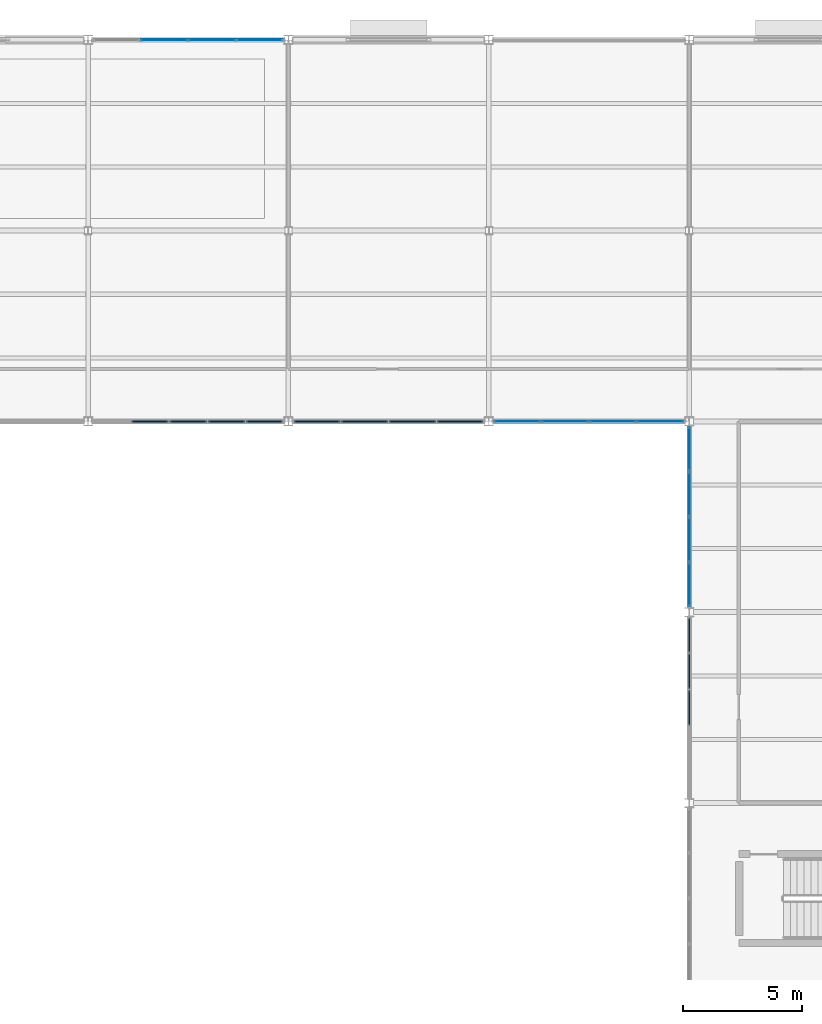
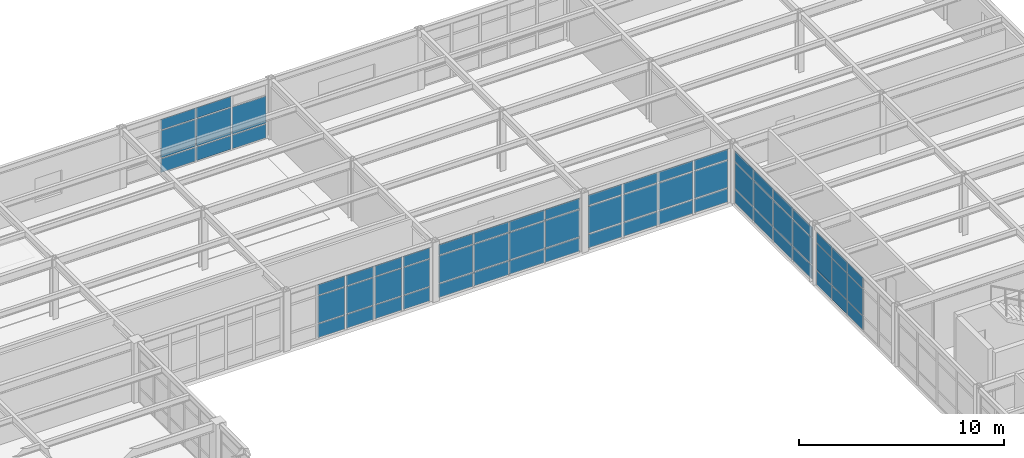
# One storey, part 43 of 96: 65 plates, 6 elements without a shape of their own.
"""IFC4 building model written with IfcOpenShell, lengths in metres."""

from ifc_helpers import new_model, si_unit, direction, frame, origin, origin_2d, place, context, subcontext, project, spatial, rectangle, extrude, material, layer, layer_set, type_object, element, aggregate, save


model = new_model("IFC4")

# Units and contexts
model_context = context("Model", 3, precision=1e-05, world=origin(), true_north=direction((0.0, 1.0)))
body_context = subcontext(model_context, "Body", "Model", "MODEL_VIEW")
ifc_project = project(units=[si_unit("LENGTHUNIT", "METRE"), si_unit("AREAUNIT", "SQUARE_METRE"), si_unit("VOLUMEUNIT", "CUBIC_METRE"), si_unit("PLANEANGLEUNIT", "RADIAN"), si_unit("MASSUNIT", "GRAM", prefix="KILO")], contexts=[model_context])

# Site, building, storey
site_placement = place(None, origin())
site = spatial("IfcSite", under=ifc_project, at=site_placement, CompositionType="ELEMENT")
building_placement = place(site_placement, origin())
building = spatial("IfcBuilding", under=site, at=building_placement, Name="Kranzveld Transit Interchange", CompositionType="ELEMENT")
storey_placement = place(building_placement, frame((0.0, 0.0, 9.52001953125)))
storey = spatial("IfcBuildingStorey", under=building, at=storey_placement, Name="L02", CompositionType="ELEMENT", Elevation=9.52001953125)

# Curtain wall, plates
ifc_material_1 = material(Name="Bronze-anodised thermally broken aluminium", Category="aluminium")
ifc_layer_1 = layer(ifc_material_1, 0.159912109375)
ifc_layer_set_1 = layer_set([ifc_layer_1], Name="Bronze-anodised thermally broken aluminium")
curtain_wall_type_1 = type_object("IfcCurtainWallType", Name="Bus Boarding Glazed Screen CW-3", PredefinedType="USERDEFINED", material=ifc_layer_set_1)
curtain_wall_1_placement = place(storey_placement, origin())
curtain_wall_1 = element("IfcCurtainWall", 1, at=curtain_wall_1_placement, inside=storey, type_object=curtain_wall_type_1, Name="L02 Curtain Wall 16/Q-17/Q", ObjectType="CURTAIN WALL", PredefinedType="USERDEFINED")
ifc_material_2 = material(Name="Solar-control double glazing", Category="glass")
ifc_layer_2 = layer(ifc_material_2, 0.031982421875)
ifc_layer_set_2 = layer_set([ifc_layer_2], Name="Solar-control double glazing")
plate_type_1 = type_object("IfcPlateType", Name="Curtain Panel Acoustic Glazing 32", PredefinedType="CURTAIN_PANEL", material=ifc_layer_set_2)
plate_1_placement = place(storey_placement, frame((129.19677734375, 112.0, 0.06005859375), z_axis=(0.0, 0.0, 1.0), x_axis=(1.0, 0.0, 0.0)))
plate_1 = element("IfcPlate", 2, at=plate_1_placement, type_object=plate_type_1, Name="CW-3 panel 2.1", PredefinedType="CURTAIN_PANEL", context=body_context, shape_type="SweptSolid", body=[
    extrude(rectangle(XDim=1.9462890625, YDim=0.031982421875, at=origin_2d()), origin(), (0.0, 0.0, 1.0), 0.81005859375),
])
plate_2_placement = place(storey_placement, frame((129.19677734375, 112.0, 0.9296875), z_axis=(0.0, 0.0, 1.0), x_axis=(1.0, 0.0, 0.0)))
plate_2 = element("IfcPlate", 3, at=plate_2_placement, type_object=plate_type_1, Name="CW-3 panel 2.2", PredefinedType="CURTAIN_PANEL", context=body_context, shape_type="SweptSolid", body=[
    extrude(rectangle(XDim=1.9462890625, YDim=0.031982421875, at=origin_2d()), origin(), (0.0, 0.0, 1.0), 1.610107421875),
])
plate_3_placement = place(storey_placement, frame((129.19677734375, 112.0, 2.60009765625), z_axis=(0.0, 0.0, 1.0), x_axis=(1.0, 0.0, 0.0)))
plate_3 = element("IfcPlate", 4, at=plate_3_placement, type_object=plate_type_1, Name="CW-3 panel 2.3", PredefinedType="CURTAIN_PANEL", context=body_context, shape_type="SweptSolid", body=[
    extrude(rectangle(XDim=1.9462890625, YDim=0.031982421875, at=origin_2d()), origin(), (0.0, 0.0, 1.0), 0.610107421875),
])
plate_4_placement = place(storey_placement, frame((131.203125, 112.0, 0.06005859375), z_axis=(0.0, 0.0, 1.0), x_axis=(1.0, 0.0, 0.0)))
plate_4 = element("IfcPlate", 5, at=plate_4_placement, type_object=plate_type_1, Name="CW-3 panel 3.1", PredefinedType="CURTAIN_PANEL", context=body_context, shape_type="SweptSolid", body=[
    extrude(rectangle(XDim=1.9462890625, YDim=0.031982421875, at=origin_2d()), origin(), (0.0, 0.0, 1.0), 0.81005859375),
])
plate_5_placement = place(storey_placement, frame((131.203125, 112.0, 0.9296875), z_axis=(0.0, 0.0, 1.0), x_axis=(1.0, 0.0, 0.0)))
plate_5 = element("IfcPlate", 6, at=plate_5_placement, type_object=plate_type_1, Name="CW-3 panel 3.2", PredefinedType="CURTAIN_PANEL", context=body_context, shape_type="SweptSolid", body=[
    extrude(rectangle(XDim=1.9462890625, YDim=0.031982421875, at=origin_2d()), origin(), (0.0, 0.0, 1.0), 1.610107421875),
])
plate_6_placement = place(storey_placement, frame((131.203125, 112.0, 2.60009765625), z_axis=(0.0, 0.0, 1.0), x_axis=(1.0, 0.0, 0.0)))
plate_6 = element("IfcPlate", 7, at=plate_6_placement, type_object=plate_type_1, Name="CW-3 panel 3.3", PredefinedType="CURTAIN_PANEL", context=body_context, shape_type="SweptSolid", body=[
    extrude(rectangle(XDim=1.9462890625, YDim=0.031982421875, at=origin_2d()), origin(), (0.0, 0.0, 1.0), 0.610107421875),
])
plate_7_placement = place(storey_placement, frame((133.194580078125, 112.0, 0.06005859375), z_axis=(0.0, 0.0, 1.0), x_axis=(1.0, 0.0, 0.0)))
plate_7 = element("IfcPlate", 8, at=plate_7_placement, type_object=plate_type_1, Name="CW-3 panel 4.1", PredefinedType="CURTAIN_PANEL", context=body_context, shape_type="SweptSolid", body=[
    extrude(rectangle(XDim=1.916259765625, YDim=0.031982421875, at=origin_2d()), origin(), (0.0, 0.0, 1.0), 0.81005859375),
])
plate_8_placement = place(storey_placement, frame((133.194580078125, 112.0, 0.9296875), z_axis=(0.0, 0.0, 1.0), x_axis=(1.0, 0.0, 0.0)))
plate_8 = element("IfcPlate", 9, at=plate_8_placement, type_object=plate_type_1, Name="CW-3 panel 4.2", PredefinedType="CURTAIN_PANEL", context=body_context, shape_type="SweptSolid", body=[
    extrude(rectangle(XDim=1.916259765625, YDim=0.031982421875, at=origin_2d()), origin(), (0.0, 0.0, 1.0), 1.610107421875),
])
aggregate(curtain_wall_1, [plate_1, plate_2, plate_3, plate_4, plate_5, plate_6, plate_7, plate_8])

ifc_material_3 = material(Name="Bronze-anodised thermally broken aluminium", Category="aluminium")
ifc_layer_3 = layer(ifc_material_3, 0.179931640625)
ifc_layer_set_3 = layer_set([ifc_layer_3], Name="Bronze-anodised thermally broken aluminium")
curtain_wall_type_2 = type_object("IfcCurtainWallType", Name="Concourse Unitised Curtain Wall CW-1", PredefinedType="USERDEFINED", material=ifc_layer_set_3)
curtain_wall_2_placement = place(storey_placement, origin())
curtain_wall_2 = element("IfcCurtainWall", 10, at=curtain_wall_2_placement, inside=storey, type_object=curtain_wall_type_2, Name="L02 Curtain Wall 18/N-19/N", ObjectType="CURTAIN WALL", PredefinedType="USERDEFINED")
ifc_material_4 = material(Name="Solar-control double glazing", Category="glass")
ifc_layer_4 = layer(ifc_material_4, 0.028076171875)
ifc_layer_set_4 = layer_set([ifc_layer_4], Name="Solar-control double glazing")
plate_type_2 = type_object("IfcPlateType", Name="Curtain Panel Double Glazing 28", PredefinedType="CURTAIN_PANEL", material=ifc_layer_set_4)
plate_9_placement = place(storey_placement, frame((144.0068359375, 96.0, 0.06494140625), z_axis=(0.0, 0.0, 1.0), x_axis=(1.0, 0.0, 0.0)))
plate_9 = element("IfcPlate", 11, at=plate_9_placement, type_object=plate_type_2, Name="CW-1 panel 1.1", PredefinedType="CURTAIN_PANEL", context=body_context, shape_type="SweptSolid", body=[
    extrude(rectangle(XDim=1.908935546875, YDim=0.028076171875, at=origin_2d()), origin(), (0.0, 0.0, 1.0), 0.802490234375),
])
plate_10_placement = place(storey_placement, frame((144.0068359375, 96.0, 0.932373046875), z_axis=(0.0, 0.0, 1.0), x_axis=(1.0, 0.0, 0.0)))
plate_10 = element("IfcPlate", 12, at=plate_10_placement, type_object=plate_type_2, Name="CW-1 panel 1.2", PredefinedType="CURTAIN_PANEL", context=body_context, shape_type="SweptSolid", body=[
    extrude(rectangle(XDim=1.908935546875, YDim=0.028076171875, at=origin_2d()), origin(), (0.0, 0.0, 1.0), 1.60498046875),
])
plate_11_placement = place(storey_placement, frame((144.0068359375, 96.0, 2.6025390625), z_axis=(0.0, 0.0, 1.0), x_axis=(1.0, 0.0, 0.0)))
plate_11 = element("IfcPlate", 13, at=plate_11_placement, type_object=plate_type_2, Name="CW-1 panel 1.3", PredefinedType="CURTAIN_PANEL", context=body_context, shape_type="SweptSolid", body=[
    extrude(rectangle(XDim=1.908935546875, YDim=0.028076171875, at=origin_2d()), origin(), (0.0, 0.0, 1.0), 0.6025390625),
])
plate_12_placement = place(storey_placement, frame((145.996826171875, 96.0, 0.06494140625), z_axis=(0.0, 0.0, 1.0), x_axis=(1.0, 0.0, 0.0)))
plate_12 = element("IfcPlate", 14, at=plate_12_placement, type_object=plate_type_2, Name="CW-1 panel 2.1", PredefinedType="CURTAIN_PANEL", context=body_context, shape_type="SweptSolid", body=[
    extrude(rectangle(XDim=1.94140625, YDim=0.028076171875, at=origin_2d()), origin(), (0.0, 0.0, 1.0), 0.802490234375),
])
plate_13_placement = place(storey_placement, frame((145.996826171875, 96.0, 0.932373046875), z_axis=(0.0, 0.0, 1.0), x_axis=(1.0, 0.0, 0.0)))
plate_13 = element("IfcPlate", 15, at=plate_13_placement, type_object=plate_type_2, Name="CW-1 panel 2.2", PredefinedType="CURTAIN_PANEL", context=body_context, shape_type="SweptSolid", body=[
    extrude(rectangle(XDim=1.94140625, YDim=0.028076171875, at=origin_2d()), origin(), (0.0, 0.0, 1.0), 1.60498046875),
])
plate_14_placement = place(storey_placement, frame((145.996826171875, 96.0, 2.6025390625), z_axis=(0.0, 0.0, 1.0), x_axis=(1.0, 0.0, 0.0)))
plate_14 = element("IfcPlate", 16, at=plate_14_placement, type_object=plate_type_2, Name="CW-1 panel 2.3", PredefinedType="CURTAIN_PANEL", context=body_context, shape_type="SweptSolid", body=[
    extrude(rectangle(XDim=1.94140625, YDim=0.028076171875, at=origin_2d()), origin(), (0.0, 0.0, 1.0), 0.6025390625),
])
plate_15_placement = place(storey_placement, frame((148.003173828125, 96.0, 0.06494140625), z_axis=(0.0, 0.0, 1.0), x_axis=(1.0, 0.0, 0.0)))
plate_15 = element("IfcPlate", 17, at=plate_15_placement, type_object=plate_type_2, Name="CW-1 panel 3.1", PredefinedType="CURTAIN_PANEL", context=body_context, shape_type="SweptSolid", body=[
    extrude(rectangle(XDim=1.94140625, YDim=0.028076171875, at=origin_2d()), origin(), (0.0, 0.0, 1.0), 0.802490234375),
])
plate_16_placement = place(storey_placement, frame((148.003173828125, 96.0, 0.932373046875), z_axis=(0.0, 0.0, 1.0), x_axis=(1.0, 0.0, 0.0)))
plate_16 = element("IfcPlate", 18, at=plate_16_placement, type_object=plate_type_2, Name="CW-1 panel 3.2", PredefinedType="CURTAIN_PANEL", context=body_context, shape_type="SweptSolid", body=[
    extrude(rectangle(XDim=1.94140625, YDim=0.028076171875, at=origin_2d()), origin(), (0.0, 0.0, 1.0), 1.60498046875),
])
plate_17_placement = place(storey_placement, frame((148.003173828125, 96.0, 2.6025390625), z_axis=(0.0, 0.0, 1.0), x_axis=(1.0, 0.0, 0.0)))
plate_17 = element("IfcPlate", 19, at=plate_17_placement, type_object=plate_type_2, Name="CW-1 panel 3.3", PredefinedType="CURTAIN_PANEL", context=body_context, shape_type="SweptSolid", body=[
    extrude(rectangle(XDim=1.94140625, YDim=0.028076171875, at=origin_2d()), origin(), (0.0, 0.0, 1.0), 0.6025390625),
])
plate_18_placement = place(storey_placement, frame((149.9931640625, 96.0, 0.06494140625), z_axis=(0.0, 0.0, 1.0), x_axis=(1.0, 0.0, 0.0)))
plate_18 = element("IfcPlate", 20, at=plate_18_placement, type_object=plate_type_2, Name="CW-1 panel 4.1", PredefinedType="CURTAIN_PANEL", context=body_context, shape_type="SweptSolid", body=[
    extrude(rectangle(XDim=1.908935546875, YDim=0.028076171875, at=origin_2d()), origin(), (0.0, 0.0, 1.0), 0.802490234375),
])
plate_19_placement = place(storey_placement, frame((149.9931640625, 96.0, 0.932373046875), z_axis=(0.0, 0.0, 1.0), x_axis=(1.0, 0.0, 0.0)))
plate_19 = element("IfcPlate", 21, at=plate_19_placement, type_object=plate_type_2, Name="CW-1 panel 4.2", PredefinedType="CURTAIN_PANEL", context=body_context, shape_type="SweptSolid", body=[
    extrude(rectangle(XDim=1.908935546875, YDim=0.028076171875, at=origin_2d()), origin(), (0.0, 0.0, 1.0), 1.60498046875),
])
plate_20_placement = place(storey_placement, frame((149.9931640625, 96.0, 2.6025390625), z_axis=(0.0, 0.0, 1.0), x_axis=(1.0, 0.0, 0.0)))
plate_20 = element("IfcPlate", 22, at=plate_20_placement, type_object=plate_type_2, Name="CW-1 panel 4.3", PredefinedType="CURTAIN_PANEL", context=body_context, shape_type="SweptSolid", body=[
    extrude(rectangle(XDim=1.908935546875, YDim=0.028076171875, at=origin_2d()), origin(), (0.0, 0.0, 1.0), 0.6025390625),
])
aggregate(curtain_wall_2, [plate_9, plate_10, plate_11, plate_12, plate_13, plate_14, plate_15, plate_16, plate_17, plate_18, plate_19, plate_20])

ifc_material_5 = material(Name="Bronze-anodised thermally broken aluminium", Category="aluminium")
ifc_layer_5 = layer(ifc_material_5, 0.14990234375)
ifc_layer_set_5 = layer_set([ifc_layer_5], Name="Bronze-anodised thermally broken aluminium")
curtain_wall_type_3 = type_object("IfcCurtainWallType", Name="Public Passage Clerestory Screen CW-4", PredefinedType="USERDEFINED", material=ifc_layer_set_5)
curtain_wall_3_placement = place(storey_placement, origin())
curtain_wall_3 = element("IfcCurtainWall", 23, at=curtain_wall_3_placement, inside=storey, type_object=curtain_wall_type_3, Name="L02 Curtain Wall 19/L-19/M", ObjectType="CURTAIN WALL", PredefinedType="USERDEFINED")
ifc_material_6 = material(Name="Solar-control double glazing", Category="glass")
ifc_layer_6 = layer(ifc_material_6, 0.0419921875)
ifc_layer_set_6 = layer_set([ifc_layer_6], Name="Solar-control double glazing")
plate_type_3 = type_object("IfcPlateType", Name="Curtain Panel Laminated Glazing 42", PredefinedType="CURTAIN_PANEL", material=ifc_layer_set_6)
plate_21_placement = place(storey_placement, frame((151.199951171875, 84.0, 0.06005859375), z_axis=(0.0, 0.0, 1.0), x_axis=(0.0, 1.0, 0.0)))
plate_21 = element("IfcPlate", 24, at=plate_21_placement, type_object=plate_type_3, Name="CW-4 panel 3.1", PredefinedType="CURTAIN_PANEL", context=body_context, shape_type="SweptSolid", body=[
    extrude(rectangle(XDim=1.465087890625, YDim=0.0419921875, at=origin_2d()), origin(), (0.0, 0.0, 1.0), 0.81005859375),
])
plate_22_placement = place(storey_placement, frame((151.199951171875, 84.0, 0.929931640625), z_axis=(0.0, 0.0, 1.0), x_axis=(0.0, 1.0, 0.0)))
plate_22 = element("IfcPlate", 25, at=plate_22_placement, type_object=plate_type_3, Name="CW-4 panel 3.2", PredefinedType="CURTAIN_PANEL", context=body_context, shape_type="SweptSolid", body=[
    extrude(rectangle(XDim=1.465087890625, YDim=0.0419921875, at=origin_2d()), origin(), (0.0, 0.0, 1.0), 1.55859375),
])
plate_23_placement = place(storey_placement, frame((151.199951171875, 84.0, 2.54833984375), z_axis=(0.0, 0.0, 1.0), x_axis=(0.0, 1.0, 0.0)))
plate_23 = element("IfcPlate", 26, at=plate_23_placement, type_object=plate_type_3, Name="CW-4 panel 3.3", PredefinedType="CURTAIN_PANEL", context=body_context, shape_type="SweptSolid", body=[
    extrude(rectangle(XDim=1.465087890625, YDim=0.0419921875, at=origin_2d()), origin(), (0.0, 0.0, 1.0), 0.610107421875),
])
plate_24_placement = place(storey_placement, frame((151.199951171875, 85.525146484375, 0.06005859375), z_axis=(0.0, 0.0, 1.0), x_axis=(0.0, 1.0, 0.0)))
plate_24 = element("IfcPlate", 27, at=plate_24_placement, type_object=plate_type_3, Name="CW-4 panel 4.1", PredefinedType="CURTAIN_PANEL", context=body_context, shape_type="SweptSolid", body=[
    extrude(rectangle(XDim=1.465087890625, YDim=0.0419921875, at=origin_2d()), origin(), (0.0, 0.0, 1.0), 0.81005859375),
])
plate_25_placement = place(storey_placement, frame((151.199951171875, 85.525146484375, 0.929931640625), z_axis=(0.0, 0.0, 1.0), x_axis=(0.0, 1.0, 0.0)))
plate_25 = element("IfcPlate", 28, at=plate_25_placement, type_object=plate_type_3, Name="CW-4 panel 4.2", PredefinedType="CURTAIN_PANEL", context=body_context, shape_type="SweptSolid", body=[
    extrude(rectangle(XDim=1.465087890625, YDim=0.0419921875, at=origin_2d()), origin(), (0.0, 0.0, 1.0), 1.55859375),
])
plate_26_placement = place(storey_placement, frame((151.199951171875, 85.525146484375, 2.54833984375), z_axis=(0.0, 0.0, 1.0), x_axis=(0.0, 1.0, 0.0)))
plate_26 = element("IfcPlate", 29, at=plate_26_placement, type_object=plate_type_3, Name="CW-4 panel 4.3", PredefinedType="CURTAIN_PANEL", context=body_context, shape_type="SweptSolid", body=[
    extrude(rectangle(XDim=1.465087890625, YDim=0.0419921875, at=origin_2d()), origin(), (0.0, 0.0, 1.0), 0.610107421875),
])
plate_27_placement = place(storey_placement, frame((151.199951171875, 87.03515625, 0.06005859375), z_axis=(0.0, 0.0, 1.0), x_axis=(0.0, 1.0, 0.0)))
plate_27 = element("IfcPlate", 30, at=plate_27_placement, type_object=plate_type_3, Name="CW-4 panel 5.1", PredefinedType="CURTAIN_PANEL", context=body_context, shape_type="SweptSolid", body=[
    extrude(rectangle(XDim=1.43505859375, YDim=0.0419921875, at=origin_2d()), origin(), (0.0, 0.0, 1.0), 0.81005859375),
])
plate_28_placement = place(storey_placement, frame((151.199951171875, 87.03515625, 0.929931640625), z_axis=(0.0, 0.0, 1.0), x_axis=(0.0, 1.0, 0.0)))
plate_28 = element("IfcPlate", 31, at=plate_28_placement, type_object=plate_type_3, Name="CW-4 panel 5.2", PredefinedType="CURTAIN_PANEL", context=body_context, shape_type="SweptSolid", body=[
    extrude(rectangle(XDim=1.43505859375, YDim=0.0419921875, at=origin_2d()), origin(), (0.0, 0.0, 1.0), 1.55859375),
])
plate_29_placement = place(storey_placement, frame((151.199951171875, 87.03515625, 2.54833984375), z_axis=(0.0, 0.0, 1.0), x_axis=(0.0, 1.0, 0.0)))
plate_29 = element("IfcPlate", 32, at=plate_29_placement, type_object=plate_type_3, Name="CW-4 panel 5.3", PredefinedType="CURTAIN_PANEL", context=body_context, shape_type="SweptSolid", body=[
    extrude(rectangle(XDim=1.43505859375, YDim=0.0419921875, at=origin_2d()), origin(), (0.0, 0.0, 1.0), 0.610107421875),
])
aggregate(curtain_wall_3, [plate_21, plate_22, plate_23, plate_24, plate_25, plate_26, plate_27, plate_28, plate_29])

ifc_material_7 = material(Name="Bronze-anodised thermally broken aluminium", Category="aluminium")
ifc_layer_7 = layer(ifc_material_7, 0.18505859375)
ifc_layer_set_7 = layer_set([ifc_layer_7], Name="Bronze-anodised thermally broken aluminium")
curtain_wall_type_4 = type_object("IfcCurtainWallType", Name="Control Crown Observation Facade CW-5", PredefinedType="USERDEFINED", material=ifc_layer_set_7)
curtain_wall_4_placement = place(storey_placement, origin())
curtain_wall_4 = element("IfcCurtainWall", 33, at=curtain_wall_4_placement, inside=storey, type_object=curtain_wall_type_4, Name="L02 Curtain Wall 19/M-19/N", ObjectType="CURTAIN WALL", PredefinedType="USERDEFINED")
ifc_material_8 = material(Name="Solar-control double glazing", Category="glass")
ifc_layer_8 = layer(ifc_material_8, 0.035888671875)
ifc_layer_set_8 = layer_set([ifc_layer_8], Name="Solar-control double glazing")
plate_type_4 = type_object("IfcPlateType", Name="Curtain Panel Triple Glazing 36", PredefinedType="CURTAIN_PANEL", material=ifc_layer_set_8)
plate_30_placement = place(storey_placement, frame((151.199951171875, 89.15673828125, 0.06494140625), z_axis=(0.0, 0.0, 1.0), x_axis=(0.0, 1.0, 0.0)))
plate_30 = element("IfcPlate", 34, at=plate_30_placement, type_object=plate_type_4, Name="CW-5 panel 1.1", PredefinedType="CURTAIN_PANEL", context=body_context, shape_type="SweptSolid", body=[
    extrude(rectangle(XDim=1.808837890625, YDim=0.035888671875, at=origin_2d()), origin(), (0.0, 0.0, 1.0), 0.802490234375),
])
plate_31_placement = place(storey_placement, frame((151.199951171875, 89.15673828125, 0.932373046875), z_axis=(0.0, 0.0, 1.0), x_axis=(0.0, 1.0, 0.0)))
plate_31 = element("IfcPlate", 35, at=plate_31_placement, type_object=plate_type_4, Name="CW-5 panel 1.2", PredefinedType="CURTAIN_PANEL", context=body_context, shape_type="SweptSolid", body=[
    extrude(rectangle(XDim=1.808837890625, YDim=0.035888671875, at=origin_2d()), origin(), (0.0, 0.0, 1.0), 1.5537109375),
])
plate_32_placement = place(storey_placement, frame((151.199951171875, 89.15673828125, 2.551025390625), z_axis=(0.0, 0.0, 1.0), x_axis=(0.0, 1.0, 0.0)))
plate_32 = element("IfcPlate", 36, at=plate_32_placement, type_object=plate_type_4, Name="CW-5 panel 1.3", PredefinedType="CURTAIN_PANEL", context=body_context, shape_type="SweptSolid", body=[
    extrude(rectangle(XDim=1.808837890625, YDim=0.035888671875, at=origin_2d()), origin(), (0.0, 0.0, 1.0), 0.6025390625),
])
plate_33_placement = place(storey_placement, frame((151.199951171875, 91.046875, 0.06494140625), z_axis=(0.0, 0.0, 1.0), x_axis=(0.0, 1.0, 0.0)))
plate_33 = element("IfcPlate", 37, at=plate_33_placement, type_object=plate_type_4, Name="CW-5 panel 2.1", PredefinedType="CURTAIN_PANEL", context=body_context, shape_type="SweptSolid", body=[
    extrude(rectangle(XDim=1.84130859375, YDim=0.035888671875, at=origin_2d()), origin(), (0.0, 0.0, 1.0), 0.802490234375),
])
plate_34_placement = place(storey_placement, frame((151.199951171875, 91.046875, 0.932373046875), z_axis=(0.0, 0.0, 1.0), x_axis=(0.0, 1.0, 0.0)))
plate_34 = element("IfcPlate", 38, at=plate_34_placement, type_object=plate_type_4, Name="CW-5 panel 2.2", PredefinedType="CURTAIN_PANEL", context=body_context, shape_type="SweptSolid", body=[
    extrude(rectangle(XDim=1.84130859375, YDim=0.035888671875, at=origin_2d()), origin(), (0.0, 0.0, 1.0), 1.5537109375),
])
plate_35_placement = place(storey_placement, frame((151.199951171875, 91.046875, 2.551025390625), z_axis=(0.0, 0.0, 1.0), x_axis=(0.0, 1.0, 0.0)))
plate_35 = element("IfcPlate", 39, at=plate_35_placement, type_object=plate_type_4, Name="CW-5 panel 2.3", PredefinedType="CURTAIN_PANEL", context=body_context, shape_type="SweptSolid", body=[
    extrude(rectangle(XDim=1.84130859375, YDim=0.035888671875, at=origin_2d()), origin(), (0.0, 0.0, 1.0), 0.6025390625),
])
plate_36_placement = place(storey_placement, frame((151.199951171875, 92.953125, 0.06494140625), z_axis=(0.0, 0.0, 1.0), x_axis=(0.0, 1.0, 0.0)))
plate_36 = element("IfcPlate", 40, at=plate_36_placement, type_object=plate_type_4, Name="CW-5 panel 3.1", PredefinedType="CURTAIN_PANEL", context=body_context, shape_type="SweptSolid", body=[
    extrude(rectangle(XDim=1.84130859375, YDim=0.035888671875, at=origin_2d()), origin(), (0.0, 0.0, 1.0), 0.802490234375),
])
plate_37_placement = place(storey_placement, frame((151.199951171875, 92.953125, 0.932373046875), z_axis=(0.0, 0.0, 1.0), x_axis=(0.0, 1.0, 0.0)))
plate_37 = element("IfcPlate", 41, at=plate_37_placement, type_object=plate_type_4, Name="CW-5 panel 3.2", PredefinedType="CURTAIN_PANEL", context=body_context, shape_type="SweptSolid", body=[
    extrude(rectangle(XDim=1.84130859375, YDim=0.035888671875, at=origin_2d()), origin(), (0.0, 0.0, 1.0), 1.5537109375),
])
plate_38_placement = place(storey_placement, frame((151.199951171875, 92.953125, 2.551025390625), z_axis=(0.0, 0.0, 1.0), x_axis=(0.0, 1.0, 0.0)))
plate_38 = element("IfcPlate", 42, at=plate_38_placement, type_object=plate_type_4, Name="CW-5 panel 3.3", PredefinedType="CURTAIN_PANEL", context=body_context, shape_type="SweptSolid", body=[
    extrude(rectangle(XDim=1.84130859375, YDim=0.035888671875, at=origin_2d()), origin(), (0.0, 0.0, 1.0), 0.6025390625),
])
plate_39_placement = place(storey_placement, frame((151.199951171875, 94.84326171875, 0.06494140625), z_axis=(0.0, 0.0, 1.0), x_axis=(0.0, 1.0, 0.0)))
plate_39 = element("IfcPlate", 43, at=plate_39_placement, type_object=plate_type_4, Name="CW-5 panel 4.1", PredefinedType="CURTAIN_PANEL", context=body_context, shape_type="SweptSolid", body=[
    extrude(rectangle(XDim=1.808837890625, YDim=0.035888671875, at=origin_2d()), origin(), (0.0, 0.0, 1.0), 0.802490234375),
])
plate_40_placement = place(storey_placement, frame((151.199951171875, 94.84326171875, 0.932373046875), z_axis=(0.0, 0.0, 1.0), x_axis=(0.0, 1.0, 0.0)))
plate_40 = element("IfcPlate", 44, at=plate_40_placement, type_object=plate_type_4, Name="CW-5 panel 4.2", PredefinedType="CURTAIN_PANEL", context=body_context, shape_type="SweptSolid", body=[
    extrude(rectangle(XDim=1.808837890625, YDim=0.035888671875, at=origin_2d()), origin(), (0.0, 0.0, 1.0), 1.5537109375),
])
plate_41_placement = place(storey_placement, frame((151.199951171875, 94.84326171875, 2.551025390625), z_axis=(0.0, 0.0, 1.0), x_axis=(0.0, 1.0, 0.0)))
plate_41 = element("IfcPlate", 45, at=plate_41_placement, type_object=plate_type_4, Name="CW-5 panel 4.3", PredefinedType="CURTAIN_PANEL", context=body_context, shape_type="SweptSolid", body=[
    extrude(rectangle(XDim=1.808837890625, YDim=0.035888671875, at=origin_2d()), origin(), (0.0, 0.0, 1.0), 0.6025390625),
])
aggregate(curtain_wall_4, [plate_30, plate_31, plate_32, plate_33, plate_34, plate_35, plate_36, plate_37, plate_38, plate_39, plate_40, plate_41])

ifc_material_9 = material(Name="Bronze-anodised thermally broken aluminium", Category="aluminium")
ifc_layer_9 = layer(ifc_material_9, 0.1650390625)
ifc_layer_set_9 = layer_set([ifc_layer_9], Name="Bronze-anodised thermally broken aluminium")
curtain_wall_type_5 = type_object("IfcCurtainWallType", Name="Sunny Court Arcade Curtain Wall CW-2", PredefinedType="USERDEFINED", material=ifc_layer_set_9)
curtain_wall_5_placement = place(storey_placement, origin())
curtain_wall_5 = element("IfcCurtainWall", 46, at=curtain_wall_5_placement, inside=storey, type_object=curtain_wall_type_5, Name="L02 Curtain Wall 16/N-17/N", ObjectType="CURTAIN WALL", PredefinedType="USERDEFINED")
ifc_material_10 = material(Name="Pretoria red-purple clinker clay face brick, 35 MPa", Category="masonry")
ifc_layer_10 = layer(ifc_material_10, 0.050048828125)
ifc_layer_set_10 = layer_set([ifc_layer_10], Name="Pretoria red-purple clinker clay face brick, 35 MPa")
plate_type_5 = type_object("IfcPlateType", Name="Curtain Spandrel Clinker Tile 50", PredefinedType="CURTAIN_PANEL", material=ifc_layer_set_10)
plate_42_placement = place(storey_placement, frame((128.594970703125, 96.0, 0.06005859375), z_axis=(0.0, 0.0, 1.0), x_axis=(1.0, 0.0, 0.0)))
plate_42 = element("IfcPlate", 47, at=plate_42_placement, type_object=plate_type_5, Name="CW-2 panel 2.1", PredefinedType="CURTAIN_PANEL", context=body_context, shape_type="SweptSolid", body=[
    extrude(rectangle(XDim=1.5400390625, YDim=0.050048828125, at=origin_2d()), origin(), (0.0, 0.0, 1.0), 0.81005859375),
])
plate_43_placement = place(storey_placement, frame((128.594970703125, 96.0, 0.9296875), z_axis=(0.0, 0.0, 1.0), x_axis=(1.0, 0.0, 0.0)))
plate_43 = element("IfcPlate", 48, at=plate_43_placement, type_object=plate_type_5, Name="CW-2 panel 2.2", PredefinedType="CURTAIN_PANEL", context=body_context, shape_type="SweptSolid", body=[
    extrude(rectangle(XDim=1.5400390625, YDim=0.050048828125, at=origin_2d()), origin(), (0.0, 0.0, 1.0), 1.610107421875),
])
plate_44_placement = place(storey_placement, frame((128.594970703125, 96.0, 2.60009765625), z_axis=(0.0, 0.0, 1.0), x_axis=(1.0, 0.0, 0.0)))
plate_44 = element("IfcPlate", 49, at=plate_44_placement, type_object=plate_type_5, Name="CW-2 panel 2.3", PredefinedType="CURTAIN_PANEL", context=body_context, shape_type="SweptSolid", body=[
    extrude(rectangle(XDim=1.5400390625, YDim=0.050048828125, at=origin_2d()), origin(), (0.0, 0.0, 1.0), 0.610107421875),
])
plate_45_placement = place(storey_placement, frame((130.199951171875, 96.0, 0.06005859375), z_axis=(0.0, 0.0, 1.0), x_axis=(1.0, 0.0, 0.0)))
plate_45 = element("IfcPlate", 50, at=plate_45_placement, type_object=plate_type_5, Name="CW-2 panel 3.1", PredefinedType="CURTAIN_PANEL", context=body_context, shape_type="SweptSolid", body=[
    extrude(rectangle(XDim=1.5400390625, YDim=0.050048828125, at=origin_2d()), origin(), (0.0, 0.0, 1.0), 0.81005859375),
])
plate_46_placement = place(storey_placement, frame((130.199951171875, 96.0, 0.9296875), z_axis=(0.0, 0.0, 1.0), x_axis=(1.0, 0.0, 0.0)))
plate_46 = element("IfcPlate", 51, at=plate_46_placement, type_object=plate_type_5, Name="CW-2 panel 3.2", PredefinedType="CURTAIN_PANEL", context=body_context, shape_type="SweptSolid", body=[
    extrude(rectangle(XDim=1.5400390625, YDim=0.050048828125, at=origin_2d()), origin(), (0.0, 0.0, 1.0), 1.610107421875),
])
plate_47_placement = place(storey_placement, frame((130.199951171875, 96.0, 2.60009765625), z_axis=(0.0, 0.0, 1.0), x_axis=(1.0, 0.0, 0.0)))
plate_47 = element("IfcPlate", 52, at=plate_47_placement, type_object=plate_type_5, Name="CW-2 panel 3.3", PredefinedType="CURTAIN_PANEL", context=body_context, shape_type="SweptSolid", body=[
    extrude(rectangle(XDim=1.5400390625, YDim=0.050048828125, at=origin_2d()), origin(), (0.0, 0.0, 1.0), 0.610107421875),
])
plate_48_placement = place(storey_placement, frame((131.80517578125, 96.0, 0.06005859375), z_axis=(0.0, 0.0, 1.0), x_axis=(1.0, 0.0, 0.0)))
plate_48 = element("IfcPlate", 53, at=plate_48_placement, type_object=plate_type_5, Name="CW-2 panel 4.1", PredefinedType="CURTAIN_PANEL", context=body_context, shape_type="SweptSolid", body=[
    extrude(rectangle(XDim=1.5400390625, YDim=0.050048828125, at=origin_2d()), origin(), (0.0, 0.0, 1.0), 0.81005859375),
])
plate_49_placement = place(storey_placement, frame((131.80517578125, 96.0, 0.9296875), z_axis=(0.0, 0.0, 1.0), x_axis=(1.0, 0.0, 0.0)))
plate_49 = element("IfcPlate", 54, at=plate_49_placement, type_object=plate_type_5, Name="CW-2 panel 4.2", PredefinedType="CURTAIN_PANEL", context=body_context, shape_type="SweptSolid", body=[
    extrude(rectangle(XDim=1.5400390625, YDim=0.050048828125, at=origin_2d()), origin(), (0.0, 0.0, 1.0), 1.610107421875),
])
plate_50_placement = place(storey_placement, frame((131.80517578125, 96.0, 2.60009765625), z_axis=(0.0, 0.0, 1.0), x_axis=(1.0, 0.0, 0.0)))
plate_50 = element("IfcPlate", 55, at=plate_50_placement, type_object=plate_type_5, Name="CW-2 panel 4.3", PredefinedType="CURTAIN_PANEL", context=body_context, shape_type="SweptSolid", body=[
    extrude(rectangle(XDim=1.5400390625, YDim=0.050048828125, at=origin_2d()), origin(), (0.0, 0.0, 1.0), 0.610107421875),
])
plate_51_placement = place(storey_placement, frame((133.393798828125, 96.0, 0.06005859375), z_axis=(0.0, 0.0, 1.0), x_axis=(1.0, 0.0, 0.0)))
plate_51 = element("IfcPlate", 56, at=plate_51_placement, type_object=plate_type_5, Name="CW-2 panel 5.1", PredefinedType="CURTAIN_PANEL", context=body_context, shape_type="SweptSolid", body=[
    extrude(rectangle(XDim=1.507568359375, YDim=0.050048828125, at=origin_2d()), origin(), (0.0, 0.0, 1.0), 0.81005859375),
])
plate_52_placement = place(storey_placement, frame((133.393798828125, 96.0, 0.9296875), z_axis=(0.0, 0.0, 1.0), x_axis=(1.0, 0.0, 0.0)))
plate_52 = element("IfcPlate", 57, at=plate_52_placement, type_object=plate_type_5, Name="CW-2 panel 5.2", PredefinedType="CURTAIN_PANEL", context=body_context, shape_type="SweptSolid", body=[
    extrude(rectangle(XDim=1.507568359375, YDim=0.050048828125, at=origin_2d()), origin(), (0.0, 0.0, 1.0), 1.610107421875),
])
plate_53_placement = place(storey_placement, frame((133.393798828125, 96.0, 2.60009765625), z_axis=(0.0, 0.0, 1.0), x_axis=(1.0, 0.0, 0.0)))
plate_53 = element("IfcPlate", 58, at=plate_53_placement, type_object=plate_type_5, Name="CW-2 panel 5.3", PredefinedType="CURTAIN_PANEL", context=body_context, shape_type="SweptSolid", body=[
    extrude(rectangle(XDim=1.507568359375, YDim=0.050048828125, at=origin_2d()), origin(), (0.0, 0.0, 1.0), 0.610107421875),
])
aggregate(curtain_wall_5, [plate_42, plate_43, plate_44, plate_45, plate_46, plate_47, plate_48, plate_49, plate_50, plate_51, plate_52, plate_53])

curtain_wall_6_placement = place(storey_placement, origin())
curtain_wall_6 = element("IfcCurtainWall", 59, at=curtain_wall_6_placement, inside=storey, type_object=curtain_wall_type_1, Name="L02 Curtain Wall 17/N-18/N", ObjectType="CURTAIN WALL", PredefinedType="USERDEFINED")
ifc_material_11 = material(Name="Bronze-anodised thermally broken aluminium", Category="aluminium")
ifc_layer_11 = layer(ifc_material_11, 0.053955078125)
ifc_layer_set_11 = layer_set([ifc_layer_11], Name="Bronze-anodised thermally broken aluminium")
plate_type_6 = type_object("IfcPlateType", Name="Curtain Spandrel Insulated Alu 54", PredefinedType="CURTAIN_PANEL", material=ifc_layer_set_11)
plate_54_placement = place(storey_placement, frame((135.60546875, 96.0, 0.06494140625), z_axis=(0.0, 0.0, 1.0), x_axis=(1.0, 0.0, 0.0)))
plate_54 = element("IfcPlate", 60, at=plate_54_placement, type_object=plate_type_6, Name="CW-3 panel 1.1", PredefinedType="CURTAIN_PANEL", context=body_context, shape_type="SweptSolid", body=[
    extrude(rectangle(XDim=1.916259765625, YDim=0.053955078125, at=origin_2d()), origin(), (0.0, 0.0, 1.0), 0.802490234375),
])
plate_55_placement = place(storey_placement, frame((135.60546875, 96.0, 0.932373046875), z_axis=(0.0, 0.0, 1.0), x_axis=(1.0, 0.0, 0.0)))
plate_55 = element("IfcPlate", 61, at=plate_55_placement, type_object=plate_type_6, Name="CW-3 panel 1.2", PredefinedType="CURTAIN_PANEL", context=body_context, shape_type="SweptSolid", body=[
    extrude(rectangle(XDim=1.916259765625, YDim=0.053955078125, at=origin_2d()), origin(), (0.0, 0.0, 1.0), 1.60498046875),
])
plate_56_placement = place(storey_placement, frame((135.60546875, 96.0, 2.6025390625), z_axis=(0.0, 0.0, 1.0), x_axis=(1.0, 0.0, 0.0)))
plate_56 = element("IfcPlate", 62, at=plate_56_placement, type_object=plate_type_6, Name="CW-3 panel 1.3", PredefinedType="CURTAIN_PANEL", context=body_context, shape_type="SweptSolid", body=[
    extrude(rectangle(XDim=1.916259765625, YDim=0.053955078125, at=origin_2d()), origin(), (0.0, 0.0, 1.0), 0.6025390625),
])
plate_57_placement = place(storey_placement, frame((137.596923828125, 96.0, 0.06494140625), z_axis=(0.0, 0.0, 1.0), x_axis=(1.0, 0.0, 0.0)))
plate_57 = element("IfcPlate", 63, at=plate_57_placement, type_object=plate_type_6, Name="CW-3 panel 2.1", PredefinedType="CURTAIN_PANEL", context=body_context, shape_type="SweptSolid", body=[
    extrude(rectangle(XDim=1.9462890625, YDim=0.053955078125, at=origin_2d()), origin(), (0.0, 0.0, 1.0), 0.802490234375),
])
plate_58_placement = place(storey_placement, frame((137.596923828125, 96.0, 0.932373046875), z_axis=(0.0, 0.0, 1.0), x_axis=(1.0, 0.0, 0.0)))
plate_58 = element("IfcPlate", 64, at=plate_58_placement, type_object=plate_type_6, Name="CW-3 panel 2.2", PredefinedType="CURTAIN_PANEL", context=body_context, shape_type="SweptSolid", body=[
    extrude(rectangle(XDim=1.9462890625, YDim=0.053955078125, at=origin_2d()), origin(), (0.0, 0.0, 1.0), 1.60498046875),
])
plate_59_placement = place(storey_placement, frame((137.596923828125, 96.0, 2.6025390625), z_axis=(0.0, 0.0, 1.0), x_axis=(1.0, 0.0, 0.0)))
plate_59 = element("IfcPlate", 65, at=plate_59_placement, type_object=plate_type_6, Name="CW-3 panel 2.3", PredefinedType="CURTAIN_PANEL", context=body_context, shape_type="SweptSolid", body=[
    extrude(rectangle(XDim=1.9462890625, YDim=0.053955078125, at=origin_2d()), origin(), (0.0, 0.0, 1.0), 0.6025390625),
])
plate_60_placement = place(storey_placement, frame((139.603271484375, 96.0, 0.06494140625), z_axis=(0.0, 0.0, 1.0), x_axis=(1.0, 0.0, 0.0)))
plate_60 = element("IfcPlate", 66, at=plate_60_placement, type_object=plate_type_6, Name="CW-3 panel 3.1", PredefinedType="CURTAIN_PANEL", context=body_context, shape_type="SweptSolid", body=[
    extrude(rectangle(XDim=1.9462890625, YDim=0.053955078125, at=origin_2d()), origin(), (0.0, 0.0, 1.0), 0.802490234375),
])
plate_61_placement = place(storey_placement, frame((139.603271484375, 96.0, 0.932373046875), z_axis=(0.0, 0.0, 1.0), x_axis=(1.0, 0.0, 0.0)))
plate_61 = element("IfcPlate", 67, at=plate_61_placement, type_object=plate_type_6, Name="CW-3 panel 3.2", PredefinedType="CURTAIN_PANEL", context=body_context, shape_type="SweptSolid", body=[
    extrude(rectangle(XDim=1.9462890625, YDim=0.053955078125, at=origin_2d()), origin(), (0.0, 0.0, 1.0), 1.60498046875),
])
plate_62_placement = place(storey_placement, frame((139.603271484375, 96.0, 2.6025390625), z_axis=(0.0, 0.0, 1.0), x_axis=(1.0, 0.0, 0.0)))
plate_62 = element("IfcPlate", 68, at=plate_62_placement, type_object=plate_type_6, Name="CW-3 panel 3.3", PredefinedType="CURTAIN_PANEL", context=body_context, shape_type="SweptSolid", body=[
    extrude(rectangle(XDim=1.9462890625, YDim=0.053955078125, at=origin_2d()), origin(), (0.0, 0.0, 1.0), 0.6025390625),
])
plate_63_placement = place(storey_placement, frame((141.594482421875, 96.0, 0.06494140625), z_axis=(0.0, 0.0, 1.0), x_axis=(1.0, 0.0, 0.0)))
plate_63 = element("IfcPlate", 69, at=plate_63_placement, type_object=plate_type_6, Name="CW-3 panel 4.1", PredefinedType="CURTAIN_PANEL", context=body_context, shape_type="SweptSolid", body=[
    extrude(rectangle(XDim=1.916259765625, YDim=0.053955078125, at=origin_2d()), origin(), (0.0, 0.0, 1.0), 0.802490234375),
])
plate_64_placement = place(storey_placement, frame((141.594482421875, 96.0, 0.932373046875), z_axis=(0.0, 0.0, 1.0), x_axis=(1.0, 0.0, 0.0)))
plate_64 = element("IfcPlate", 70, at=plate_64_placement, type_object=plate_type_6, Name="CW-3 panel 4.2", PredefinedType="CURTAIN_PANEL", context=body_context, shape_type="SweptSolid", body=[
    extrude(rectangle(XDim=1.916259765625, YDim=0.053955078125, at=origin_2d()), origin(), (0.0, 0.0, 1.0), 1.60498046875),
])
plate_65_placement = place(storey_placement, frame((141.594482421875, 96.0, 2.6025390625), z_axis=(0.0, 0.0, 1.0), x_axis=(1.0, 0.0, 0.0)))
plate_65 = element("IfcPlate", 71, at=plate_65_placement, type_object=plate_type_6, Name="CW-3 panel 4.3", PredefinedType="CURTAIN_PANEL", context=body_context, shape_type="SweptSolid", body=[
    extrude(rectangle(XDim=1.916259765625, YDim=0.053955078125, at=origin_2d()), origin(), (0.0, 0.0, 1.0), 0.6025390625),
])
aggregate(curtain_wall_6, [plate_54, plate_55, plate_56, plate_57, plate_58, plate_59, plate_60, plate_61, plate_62, plate_63, plate_64, plate_65])

save(model, "model.ifc")
